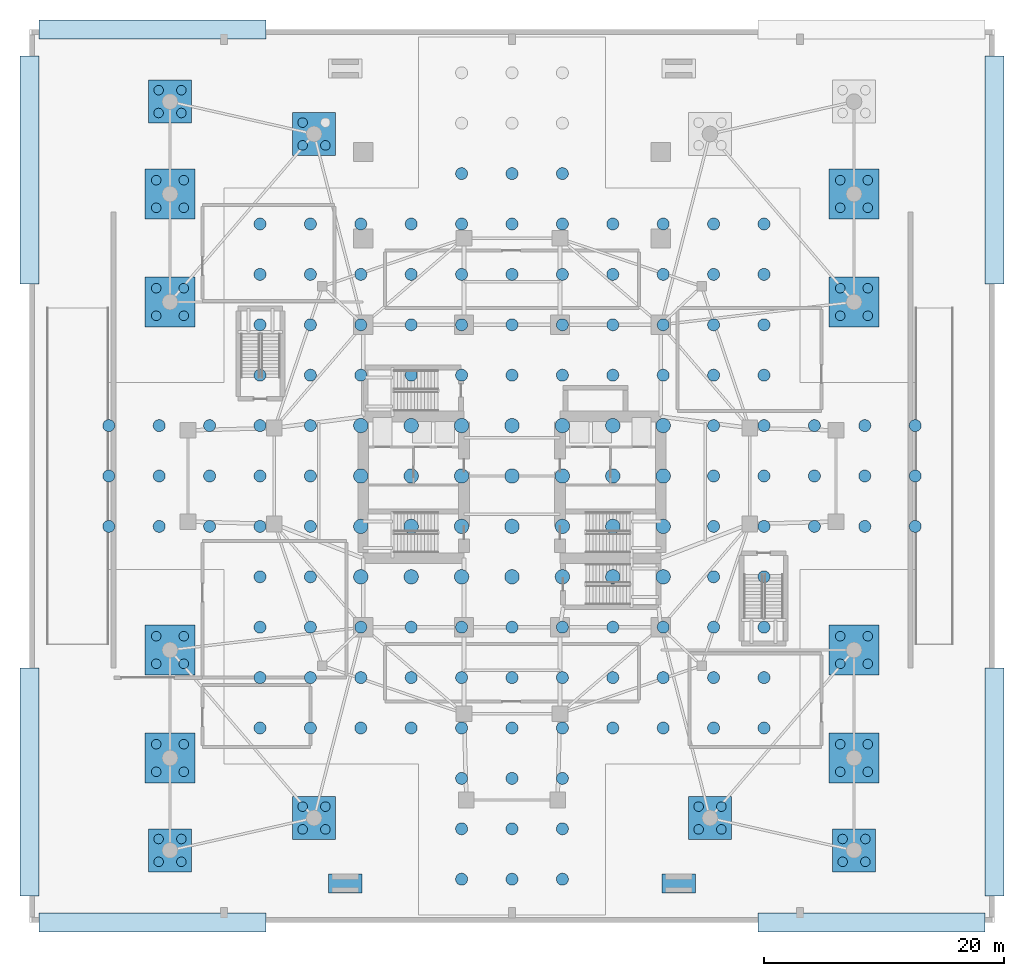
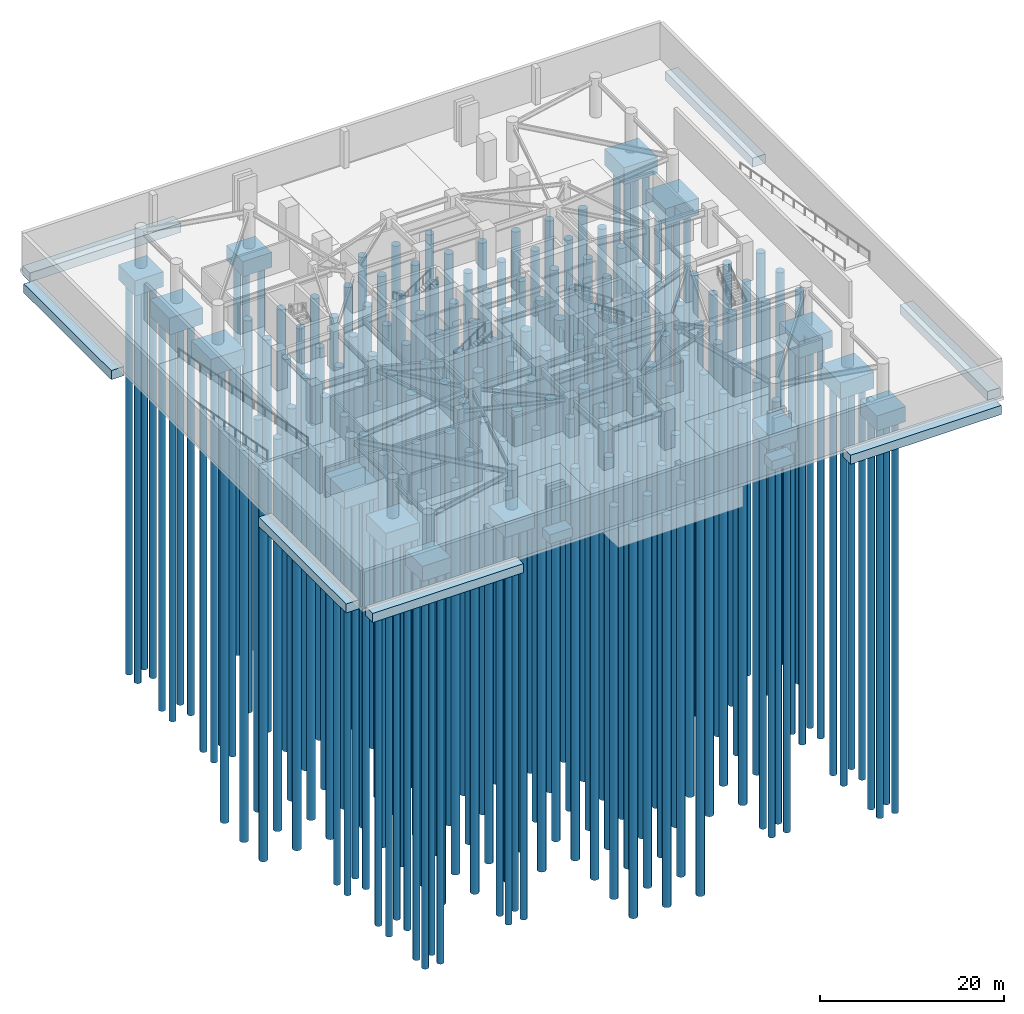
# One storey, part 1 of 14: 206 piles, 23 footings.
"""IFC4 building model written with IfcOpenShell, lengths in metres."""

from ifc_helpers import new_model, si_unit, direction, frame, origin, origin_2d, place, context, subcontext, project, spatial, rectangle, circle, extrude, material, material_profile, profile_set, type_object, element, save


model = new_model("IFC4")

# Units and contexts
model_context = context("Model", 3, precision=1e-05, world=origin(), true_north=direction((0.0, 1.0)))
body_context = subcontext(model_context, "Body", "Model", "MODEL_VIEW")
ifc_project = project(units=[si_unit("LENGTHUNIT", "METRE"), si_unit("AREAUNIT", "SQUARE_METRE"), si_unit("VOLUMEUNIT", "CUBIC_METRE"), si_unit("PLANEANGLEUNIT", "RADIAN"), si_unit("MASSUNIT", "GRAM", prefix="KILO")], contexts=[model_context])

# Site, building, storey
site_placement = place(None, origin())
site = spatial("IfcSite", under=ifc_project, at=site_placement, CompositionType="ELEMENT")
building_placement = place(site_placement, origin())
building = spatial("IfcBuilding", under=site, at=building_placement, Name="Qingluan Cross Belvedere", CompositionType="ELEMENT")
storey_placement = place(building_placement, frame((0.0, 0.0, -10.39990234375)))
storey = spatial("IfcBuildingStorey", under=building, at=storey_placement, Name="B2", CompositionType="ELEMENT", Elevation=-10.39990234375)

# Piles
ifc_material_1 = material(Name="Concrete C45", Category="concrete")
ifc_material_profile_1 = material_profile(ifc_material_1, circle(Radius=0.5, at=origin_2d()), Name="BP1000")
ifc_profile_set_1 = profile_set([ifc_material_profile_1], Name="Concrete C45")
pile_type_1 = type_object("IfcPileType", Name="BoredPile_BP1000", PredefinedType="BORED", material=ifc_profile_set_1)
for number, where, z_axis, x_axis, name in (
    (1, (-33.60009765625, -4.199951171875, -3.5), (0.0, 0.0, -1.0), (1.0, 0.0, 0.0), "Rock-socketed bored pile BP1000 #001"),
    (2, (-33.60009765625, 0.0, -3.5), (0.0, 0.0, -1.0), (1.0, 0.0, 0.0), "Rock-socketed bored pile BP1000 #002"),
    (3, (-33.60009765625, 4.199951171875, -3.5), (0.0, 0.0, -1.0), (1.0, 0.0, 0.0), "Rock-socketed bored pile BP1000 #003"),
    (4, (-29.39990234375, -4.199951171875, -3.5), (0.0, 0.0, -1.0), (1.0, 0.0, 0.0), "Rock-socketed bored pile BP1000 #004"),
    (5, (-29.39990234375, 0.0, -3.5), (0.0, 0.0, -1.0), (1.0, 0.0, 0.0), "Rock-socketed bored pile BP1000 #005"),
    (6, (-29.39990234375, 4.199951171875, -3.5), (0.0, 0.0, -1.0), (1.0, 0.0, 0.0), "Rock-socketed bored pile BP1000 #006"),
    (7, (-25.199951171875, -4.199951171875, -3.5), (0.0, 0.0, -1.0), (1.0, 0.0, 0.0), "Rock-socketed bored pile BP1000 #007"),
    (8, (-25.199951171875, 0.0, -3.5), (0.0, 0.0, -1.0), (1.0, 0.0, 0.0), "Rock-socketed bored pile BP1000 #008"),
    (9, (-25.199951171875, 4.199951171875, -3.5), (0.0, 0.0, -1.0), (1.0, 0.0, 0.0), "Rock-socketed bored pile BP1000 #009"),
    (10, (-21.0, -21.0, -3.5), (0.0, 0.0, -1.0), (1.0, 0.0, 0.0), "Rock-socketed bored pile BP1000 #010"),
    (11, (-21.0, -16.800048828125, -3.5), (0.0, 0.0, -1.0), (1.0, 0.0, 0.0), "Rock-socketed bored pile BP1000 #011"),
    (12, (-21.0, -12.60009765625, -3.5), (0.0, 0.0, -1.0), (1.0, 0.0, 0.0), "Rock-socketed bored pile BP1000 #012"),
    (13, (-21.0, -8.39990234375, -3.5), (0.0, 0.0, -1.0), (1.0, 0.0, 0.0), "Rock-socketed bored pile BP1000 #013"),
    (14, (-21.0, -4.199951171875, -3.5), (0.0, 0.0, -1.0), (1.0, 0.0, 0.0), "Rock-socketed bored pile BP1000 #014"),
    (15, (-21.0, 0.0, -3.5), (0.0, 0.0, -1.0), (1.0, 0.0, 0.0), "Rock-socketed bored pile BP1000 #015"),
    (16, (-21.0, 4.199951171875, -3.5), (0.0, 0.0, -1.0), (1.0, 0.0, 0.0), "Rock-socketed bored pile BP1000 #016"),
    (17, (-21.0, 8.39990234375, -3.5), (0.0, 0.0, -1.0), (1.0, 0.0, 0.0), "Rock-socketed bored pile BP1000 #017"),
    (18, (-21.0, 12.60009765625, -3.5), (0.0, 0.0, -1.0), (1.0, 0.0, 0.0), "Rock-socketed bored pile BP1000 #018"),
    (19, (-21.0, 16.800048828125, -3.5), (0.0, 0.0, -1.0), (1.0, 0.0, 0.0), "Rock-socketed bored pile BP1000 #019"),
    (20, (-21.0, 21.0, -3.5), (0.0, 0.0, -1.0), (1.0, 0.0, 0.0), "Rock-socketed bored pile BP1000 #020"),
    (21, (-16.800048828125, -21.0, -3.5), (0.0, 0.0, -1.0), (1.0, 0.0, 0.0), "Rock-socketed bored pile BP1000 #021"),
    (22, (-16.800048828125, -16.800048828125, -3.5), (0.0, 0.0, -1.0), (1.0, 0.0, 0.0), "Rock-socketed bored pile BP1000 #022"),
    (23, (-16.800048828125, -12.60009765625, -3.5), (0.0, 0.0, -1.0), (1.0, 0.0, 0.0), "Rock-socketed bored pile BP1000 #023"),
    (24, (-16.800048828125, -8.39990234375, -3.5), (0.0, 0.0, -1.0), (1.0, 0.0, 0.0), "Rock-socketed bored pile BP1000 #024"),
    (25, (-16.800048828125, -4.199951171875, -3.5), (0.0, 0.0, -1.0), (1.0, 0.0, 0.0), "Rock-socketed bored pile BP1000 #025"),
    (26, (-16.800048828125, 0.0, -3.5), (0.0, 0.0, -1.0), (1.0, 0.0, 0.0), "Rock-socketed bored pile BP1000 #026"),
    (27, (-16.800048828125, 4.199951171875, -3.5), (0.0, 0.0, -1.0), (1.0, 0.0, 0.0), "Rock-socketed bored pile BP1000 #027"),
    (28, (-16.800048828125, 8.39990234375, -3.5), (0.0, 0.0, -1.0), (1.0, 0.0, 0.0), "Rock-socketed bored pile BP1000 #028"),
    (29, (-16.800048828125, 12.60009765625, -3.5), (0.0, 0.0, -1.0), (1.0, 0.0, 0.0), "Rock-socketed bored pile BP1000 #029"),
    (30, (-16.800048828125, 16.800048828125, -3.5), (0.0, 0.0, -1.0), (1.0, 0.0, 0.0), "Rock-socketed bored pile BP1000 #030"),
    (31, (-16.800048828125, 21.0, -3.5), (0.0, 0.0, -1.0), (1.0, 0.0, 0.0), "Rock-socketed bored pile BP1000 #031"),
    (32, (-12.60009765625, -21.0, -3.5), (0.0, 0.0, -1.0), (1.0, 0.0, 0.0), "Rock-socketed bored pile BP1000 #032"),
    (33, (-12.60009765625, -16.800048828125, -3.5), (0.0, 0.0, -1.0), (1.0, 0.0, 0.0), "Rock-socketed bored pile BP1000 #033"),
    (34, (-12.60009765625, -12.60009765625, -3.5), (0.0, 0.0, -1.0), (1.0, 0.0, 0.0), "Rock-socketed bored pile BP1000 #034"),
    (35, (-12.60009765625, 8.39990234375, -3.5), (0.0, 0.0, -1.0), (1.0, 0.0, 0.0), "Rock-socketed bored pile BP1000 #039"),
    (36, (-12.60009765625, 12.60009765625, -3.5), (0.0, 0.0, -1.0), (1.0, 0.0, 0.0), "Rock-socketed bored pile BP1000 #040"),
    (37, (-12.60009765625, 16.800048828125, -3.5), (0.0, 0.0, -1.0), (1.0, 0.0, 0.0), "Rock-socketed bored pile BP1000 #041"),
    (38, (-12.60009765625, 21.0, -3.5), (0.0, 0.0, -1.0), (1.0, 0.0, 0.0), "Rock-socketed bored pile BP1000 #042"),
    (39, (-8.39990234375, -21.0, -3.5), (0.0, 0.0, -1.0), (1.0, 0.0, 0.0), "Rock-socketed bored pile BP1000 #043"),
    (40, (-8.39990234375, -16.800048828125, -3.5), (0.0, 0.0, -1.0), (1.0, 0.0, 0.0), "Rock-socketed bored pile BP1000 #044"),
    (41, (-8.39990234375, -12.60009765625, -3.5), (0.0, 0.0, -1.0), (1.0, 0.0, 0.0), "Rock-socketed bored pile BP1000 #045"),
    (42, (-8.39990234375, 8.39990234375, -3.5), (0.0, 0.0, -1.0), (1.0, 0.0, 0.0), "Rock-socketed bored pile BP1000 #050"),
    (43, (-8.39990234375, 12.60009765625, -3.5), (0.0, 0.0, -1.0), (1.0, 0.0, 0.0), "Rock-socketed bored pile BP1000 #051"),
    (44, (-8.39990234375, 16.800048828125, -3.5), (0.0, 0.0, -1.0), (1.0, 0.0, 0.0), "Rock-socketed bored pile BP1000 #052"),
    (45, (-8.39990234375, 21.0, -3.5), (0.0, 0.0, -1.0), (1.0, 0.0, 0.0), "Rock-socketed bored pile BP1000 #053"),
    (46, (-4.199951171875, -33.60009765625, -3.5), (0.0, 0.0, -1.0), (1.0, 0.0, 0.0), "Rock-socketed bored pile BP1000 #054"),
    (47, (-4.199951171875, -29.39990234375, -3.5), (0.0, 0.0, -1.0), (1.0, 0.0, 0.0), "Rock-socketed bored pile BP1000 #055"),
    (48, (-4.199951171875, -25.199951171875, -3.5), (0.0, 0.0, -1.0), (1.0, 0.0, 0.0), "Rock-socketed bored pile BP1000 #056"),
    (49, (-4.199951171875, -21.0, -3.5), (0.0, 0.0, -1.0), (1.0, 0.0, 0.0), "Rock-socketed bored pile BP1000 #057"),
    (50, (-4.199951171875, -16.800048828125, -3.5), (0.0, 0.0, -1.0), (1.0, 0.0, 0.0), "Rock-socketed bored pile BP1000 #058"),
    (51, (-4.199951171875, -12.60009765625, -3.5), (0.0, 0.0, -1.0), (1.0, 0.0, 0.0), "Rock-socketed bored pile BP1000 #059"),
    (52, (-4.199951171875, 8.39990234375, -3.5), (0.0, 0.0, -1.0), (1.0, 0.0, 0.0), "Rock-socketed bored pile BP1000 #064"),
    (53, (-4.199951171875, 12.60009765625, -3.5), (0.0, 0.0, -1.0), (1.0, 0.0, 0.0), "Rock-socketed bored pile BP1000 #065"),
    (54, (-4.199951171875, 16.800048828125, -3.5), (0.0, 0.0, -1.0), (1.0, 0.0, 0.0), "Rock-socketed bored pile BP1000 #066"),
    (55, (-4.199951171875, 21.0, -3.5), (0.0, 0.0, -1.0), (1.0, 0.0, 0.0), "Rock-socketed bored pile BP1000 #067"),
    (56, (-4.199951171875, 25.199951171875, -3.5), (0.0, 0.0, -1.0), (1.0, 0.0, 0.0), "Rock-socketed bored pile BP1000 #068"),
    (57, (0.0, -33.60009765625, -3.5), (0.0, 0.0, -1.0), (1.0, 0.0, 0.0), "Rock-socketed bored pile BP1000 #071"),
    (58, (0.0, -29.39990234375, -3.5), (0.0, 0.0, -1.0), (1.0, 0.0, 0.0), "Rock-socketed bored pile BP1000 #072"),
    (59, (0.0, -25.199951171875, -3.5), (0.0, 0.0, -1.0), (1.0, 0.0, 0.0), "Rock-socketed bored pile BP1000 #073"),
    (60, (0.0, -21.0, -3.5), (0.0, 0.0, -1.0), (1.0, 0.0, 0.0), "Rock-socketed bored pile BP1000 #074"),
    (61, (0.0, -16.800048828125, -3.5), (0.0, 0.0, -1.0), (1.0, 0.0, 0.0), "Rock-socketed bored pile BP1000 #075"),
    (62, (0.0, -12.60009765625, -3.5), (0.0, 0.0, -1.0), (1.0, 0.0, 0.0), "Rock-socketed bored pile BP1000 #076"),
    (63, (0.0, 8.39990234375, -3.5), (0.0, 0.0, -1.0), (1.0, 0.0, 0.0), "Rock-socketed bored pile BP1000 #081"),
    (64, (0.0, 12.60009765625, -3.5), (0.0, 0.0, -1.0), (1.0, 0.0, 0.0), "Rock-socketed bored pile BP1000 #082"),
    (65, (0.0, 16.800048828125, -3.5), (0.0, 0.0, -1.0), (1.0, 0.0, 0.0), "Rock-socketed bored pile BP1000 #083"),
    (66, (0.0, 21.0, -3.5), (0.0, 0.0, -1.0), (1.0, 0.0, 0.0), "Rock-socketed bored pile BP1000 #084"),
    (67, (0.0, 25.199951171875, -3.5), (0.0, 0.0, -1.0), (1.0, 0.0, 0.0), "Rock-socketed bored pile BP1000 #085"),
    (68, (4.199951171875, -33.60009765625, -3.5), (0.0, 0.0, -1.0), (1.0, 0.0, 0.0), "Rock-socketed bored pile BP1000 #088"),
    (69, (4.199951171875, -29.39990234375, -3.5), (0.0, 0.0, -1.0), (1.0, 0.0, 0.0), "Rock-socketed bored pile BP1000 #089"),
    (70, (4.199951171875, -25.199951171875, -3.5), (0.0, 0.0, -1.0), (1.0, 0.0, 0.0), "Rock-socketed bored pile BP1000 #090"),
    (71, (4.199951171875, -21.0, -3.5), (0.0, 0.0, -1.0), (1.0, 0.0, 0.0), "Rock-socketed bored pile BP1000 #091"),
    (72, (4.199951171875, -16.800048828125, -3.5), (0.0, 0.0, -1.0), (1.0, 0.0, 0.0), "Rock-socketed bored pile BP1000 #092"),
    (73, (4.199951171875, -12.60009765625, -3.5), (0.0, 0.0, -1.0), (1.0, 0.0, 0.0), "Rock-socketed bored pile BP1000 #093"),
    (74, (4.199951171875, 8.39990234375, -3.5), (0.0, 0.0, -1.0), (1.0, 0.0, 0.0), "Rock-socketed bored pile BP1000 #098"),
    (75, (4.199951171875, 12.60009765625, -3.5), (0.0, 0.0, -1.0), (1.0, 0.0, 0.0), "Rock-socketed bored pile BP1000 #099"),
    (76, (4.199951171875, 16.800048828125, -3.5), (0.0, 0.0, -1.0), (1.0, 0.0, 0.0), "Rock-socketed bored pile BP1000 #100"),
    (77, (4.199951171875, 21.0, -3.5), (0.0, 0.0, -1.0), (1.0, 0.0, 0.0), "Rock-socketed bored pile BP1000 #101"),
    (78, (4.199951171875, 25.199951171875, -3.5), (0.0, 0.0, -1.0), (1.0, 0.0, 0.0), "Rock-socketed bored pile BP1000 #102"),
    (79, (8.39990234375, -21.0, -3.5), (0.0, 0.0, -1.0), (1.0, 0.0, 0.0), "Rock-socketed bored pile BP1000 #105"),
    (80, (8.39990234375, -16.800048828125, -3.5), (0.0, 0.0, -1.0), (1.0, 0.0, 0.0), "Rock-socketed bored pile BP1000 #106"),
    (81, (8.39990234375, -12.60009765625, -3.5), (0.0, 0.0, -1.0), (1.0, 0.0, 0.0), "Rock-socketed bored pile BP1000 #107"),
    (82, (8.39990234375, 8.39990234375, -3.5), (0.0, 0.0, -1.0), (1.0, 0.0, 0.0), "Rock-socketed bored pile BP1000 #112"),
    (83, (8.39990234375, 12.60009765625, -3.5), (0.0, 0.0, -1.0), (1.0, 0.0, 0.0), "Rock-socketed bored pile BP1000 #113"),
    (84, (8.39990234375, 16.800048828125, -3.5), (0.0, 0.0, -1.0), (1.0, 0.0, 0.0), "Rock-socketed bored pile BP1000 #114"),
    (85, (8.39990234375, 21.0, -3.5), (0.0, 0.0, -1.0), (1.0, 0.0, 0.0), "Rock-socketed bored pile BP1000 #115"),
    (86, (12.60009765625, -21.0, -3.5), (0.0, 0.0, -1.0), (1.0, 0.0, 0.0), "Rock-socketed bored pile BP1000 #116"),
    (87, (12.60009765625, -16.800048828125, -3.5), (0.0, 0.0, -1.0), (1.0, 0.0, 0.0), "Rock-socketed bored pile BP1000 #117"),
    (88, (12.60009765625, -12.60009765625, -3.5), (0.0, 0.0, -1.0), (1.0, 0.0, 0.0), "Rock-socketed bored pile BP1000 #118"),
    (89, (12.60009765625, 8.39990234375, -3.5), (0.0, 0.0, -1.0), (1.0, 0.0, 0.0), "Rock-socketed bored pile BP1000 #123"),
    (90, (12.60009765625, 12.60009765625, -3.5), (0.0, 0.0, -1.0), (1.0, 0.0, 0.0), "Rock-socketed bored pile BP1000 #124"),
    (91, (12.60009765625, 16.800048828125, -3.5), (0.0, 0.0, -1.0), (1.0, 0.0, 0.0), "Rock-socketed bored pile BP1000 #125"),
    (92, (12.60009765625, 21.0, -3.5), (0.0, 0.0, -1.0), (1.0, 0.0, 0.0), "Rock-socketed bored pile BP1000 #126"),
    (93, (16.800048828125, -21.0, -3.5), (0.0, 0.0, -1.0), (1.0, 0.0, 0.0), "Rock-socketed bored pile BP1000 #127"),
    (94, (16.800048828125, -16.800048828125, -3.5), (0.0, 0.0, -1.0), (1.0, 0.0, 0.0), "Rock-socketed bored pile BP1000 #128"),
    (95, (16.800048828125, -12.60009765625, -3.5), (0.0, 0.0, -1.0), (1.0, 0.0, 0.0), "Rock-socketed bored pile BP1000 #129"),
    (96, (16.800048828125, -8.39990234375, -3.5), (0.0, 0.0, -1.0), (1.0, 0.0, 0.0), "Rock-socketed bored pile BP1000 #130"),
    (97, (16.800048828125, -4.199951171875, -3.5), (0.0, 0.0, -1.0), (1.0, 0.0, 0.0), "Rock-socketed bored pile BP1000 #131"),
    (98, (16.800048828125, 0.0, -3.5), (0.0, 0.0, -1.0), (1.0, 0.0, 0.0), "Rock-socketed bored pile BP1000 #132"),
    (99, (16.800048828125, 4.199951171875, -3.5), (0.0, 0.0, -1.0), (1.0, 0.0, 0.0), "Rock-socketed bored pile BP1000 #133"),
    (100, (16.800048828125, 8.39990234375, -3.5), (0.0, 0.0, -1.0), (1.0, 0.0, 0.0), "Rock-socketed bored pile BP1000 #134"),
    (101, (16.800048828125, 12.60009765625, -3.5), (0.0, 0.0, -1.0), (1.0, 0.0, 0.0), "Rock-socketed bored pile BP1000 #135"),
    (102, (16.800048828125, 16.800048828125, -3.5), (0.0, 0.0, -1.0), (1.0, 0.0, 0.0), "Rock-socketed bored pile BP1000 #136"),
    (103, (16.800048828125, 21.0, -3.5), (0.0, 0.0, -1.0), (1.0, 0.0, 0.0), "Rock-socketed bored pile BP1000 #137"),
    (104, (21.0, -21.0, -3.5), (0.0, 0.0, -1.0), (1.0, 0.0, 0.0), "Rock-socketed bored pile BP1000 #138"),
    (105, (21.0, -16.800048828125, -3.5), (0.0, 0.0, -1.0), (1.0, 0.0, 0.0), "Rock-socketed bored pile BP1000 #139"),
    (106, (21.0, -12.60009765625, -3.5), (0.0, 0.0, -1.0), (1.0, 0.0, 0.0), "Rock-socketed bored pile BP1000 #140"),
    (107, (21.0, -8.39990234375, -3.5), (0.0, 0.0, -1.0), (1.0, 0.0, 0.0), "Rock-socketed bored pile BP1000 #141"),
    (108, (21.0, -4.199951171875, -3.5), (0.0, 0.0, -1.0), (1.0, 0.0, 0.0), "Rock-socketed bored pile BP1000 #142"),
    (109, (21.0, 0.0, -3.5), (0.0, 0.0, -1.0), (1.0, 0.0, 0.0), "Rock-socketed bored pile BP1000 #143"),
    (110, (21.0, 4.199951171875, -3.5), (0.0, 0.0, -1.0), (1.0, 0.0, 0.0), "Rock-socketed bored pile BP1000 #144"),
    (111, (21.0, 8.39990234375, -3.5), (0.0, 0.0, -1.0), (1.0, 0.0, 0.0), "Rock-socketed bored pile BP1000 #145"),
    (112, (21.0, 12.60009765625, -3.5), (0.0, 0.0, -1.0), (1.0, 0.0, 0.0), "Rock-socketed bored pile BP1000 #146"),
    (113, (21.0, 16.800048828125, -3.5), (0.0, 0.0, -1.0), (1.0, 0.0, 0.0), "Rock-socketed bored pile BP1000 #147"),
    (114, (21.0, 21.0, -3.5), (0.0, 0.0, -1.0), (1.0, 0.0, 0.0), "Rock-socketed bored pile BP1000 #148"),
    (115, (25.199951171875, -4.199951171875, -3.5), (0.0, 0.0, -1.0), (1.0, 0.0, 0.0), "Rock-socketed bored pile BP1000 #149"),
    (116, (25.199951171875, 0.0, -3.5), (0.0, 0.0, -1.0), (1.0, 0.0, 0.0), "Rock-socketed bored pile BP1000 #150"),
    (117, (25.199951171875, 4.199951171875, -3.5), (0.0, 0.0, -1.0), (1.0, 0.0, 0.0), "Rock-socketed bored pile BP1000 #151"),
    (118, (29.39990234375, -4.199951171875, -3.5), (0.0, 0.0, -1.0), (1.0, 0.0, 0.0), "Rock-socketed bored pile BP1000 #152"),
    (119, (29.39990234375, 0.0, -3.5), (0.0, 0.0, -1.0), (1.0, 0.0, 0.0), "Rock-socketed bored pile BP1000 #153"),
    (120, (29.39990234375, 4.199951171875, -3.5), (0.0, 0.0, -1.0), (1.0, 0.0, 0.0), "Rock-socketed bored pile BP1000 #154"),
    (121, (33.60009765625, -4.199951171875, -3.5), (0.0, 0.0, -1.0), (1.0, 0.0, 0.0), "Rock-socketed bored pile BP1000 #155"),
    (122, (33.60009765625, 0.0, -3.5), (0.0, 0.0, -1.0), (1.0, 0.0, 0.0), "Rock-socketed bored pile BP1000 #156"),
    (123, (33.60009765625, 4.199951171875, -3.5), (0.0, 0.0, -1.0), (1.0, 0.0, 0.0), "Rock-socketed bored pile BP1000 #157"),
):
    element("IfcPile", number, at=place(storey_placement, frame(where, z_axis=z_axis, x_axis=x_axis)), inside=storey, type_object=pile_type_1, Name=name, PredefinedType="BORED", context=body_context, shape_type="SweptSolid", body=[
        extrude(circle(Radius=0.5, at=origin_2d()), origin(), (0.0, 0.0, 1.0), 52.0),
    ])
ifc_material_2 = material(Name="Concrete C45", Category="concrete")
ifc_material_profile_2 = material_profile(ifc_material_2, circle(Radius=0.60009765625, at=origin_2d()), Name="BP1200")
ifc_profile_set_2 = profile_set([ifc_material_profile_2], Name="Concrete C45")
pile_type_2 = type_object("IfcPileType", Name="BoredPile_BP1200", PredefinedType="BORED", material=ifc_profile_set_2)
for number, where, z_axis, x_axis, name in (
    (124, (-12.60009765625, -8.39990234375, -3.5), (0.0, 0.0, -1.0), (1.0, 0.0, 0.0), "Rock-socketed bored pile BP1200 #035"),
    (125, (-12.60009765625, -4.199951171875, -3.5), (0.0, 0.0, -1.0), (1.0, 0.0, 0.0), "Rock-socketed bored pile BP1200 #036"),
    (126, (-12.60009765625, 0.0, -3.5), (0.0, 0.0, -1.0), (1.0, 0.0, 0.0), "Rock-socketed bored pile BP1200 #037"),
    (127, (-12.60009765625, 4.199951171875, -3.5), (0.0, 0.0, -1.0), (1.0, 0.0, 0.0), "Rock-socketed bored pile BP1200 #038"),
    (128, (-8.39990234375, -8.39990234375, -3.5), (0.0, 0.0, -1.0), (1.0, 0.0, 0.0), "Rock-socketed bored pile BP1200 #046"),
    (129, (-8.39990234375, -4.199951171875, -3.5), (0.0, 0.0, -1.0), (1.0, 0.0, 0.0), "Rock-socketed bored pile BP1200 #047"),
    (130, (-8.39990234375, 0.0, -3.5), (0.0, 0.0, -1.0), (1.0, 0.0, 0.0), "Rock-socketed bored pile BP1200 #048"),
    (131, (-8.39990234375, 4.199951171875, -3.5), (0.0, 0.0, -1.0), (1.0, 0.0, 0.0), "Rock-socketed bored pile BP1200 #049"),
    (132, (-4.199951171875, -8.39990234375, -3.5), (0.0, 0.0, -1.0), (1.0, 0.0, 0.0), "Rock-socketed bored pile BP1200 #060"),
    (133, (-4.199951171875, -4.199951171875, -3.5), (0.0, 0.0, -1.0), (1.0, 0.0, 0.0), "Rock-socketed bored pile BP1200 #061"),
    (134, (-4.199951171875, 0.0, -3.5), (0.0, 0.0, -1.0), (1.0, 0.0, 0.0), "Rock-socketed bored pile BP1200 #062"),
    (135, (-4.199951171875, 4.199951171875, -3.5), (0.0, 0.0, -1.0), (1.0, 0.0, 0.0), "Rock-socketed bored pile BP1200 #063"),
    (136, (0.0, -8.39990234375, -3.5), (0.0, 0.0, -1.0), (1.0, 0.0, 0.0), "Rock-socketed bored pile BP1200 #077"),
    (137, (0.0, -4.199951171875, -3.5), (0.0, 0.0, -1.0), (1.0, 0.0, 0.0), "Rock-socketed bored pile BP1200 #078"),
    (138, (0.0, 0.0, -3.5), (0.0, 0.0, -1.0), (1.0, 0.0, 0.0), "Rock-socketed bored pile BP1200 #079"),
    (139, (0.0, 4.199951171875, -3.5), (0.0, 0.0, -1.0), (1.0, 0.0, 0.0), "Rock-socketed bored pile BP1200 #080"),
    (140, (4.199951171875, -8.39990234375, -3.5), (0.0, 0.0, -1.0), (1.0, 0.0, 0.0), "Rock-socketed bored pile BP1200 #094"),
    (141, (4.199951171875, -4.199951171875, -3.5), (0.0, 0.0, -1.0), (1.0, 0.0, 0.0), "Rock-socketed bored pile BP1200 #095"),
    (142, (4.199951171875, 0.0, -3.5), (0.0, 0.0, -1.0), (1.0, 0.0, 0.0), "Rock-socketed bored pile BP1200 #096"),
    (143, (4.199951171875, 4.199951171875, -3.5), (0.0, 0.0, -1.0), (1.0, 0.0, 0.0), "Rock-socketed bored pile BP1200 #097"),
    (144, (8.39990234375, -8.39990234375, -3.5), (0.0, 0.0, -1.0), (1.0, 0.0, 0.0), "Rock-socketed bored pile BP1200 #108"),
    (145, (8.39990234375, -4.199951171875, -3.5), (0.0, 0.0, -1.0), (1.0, 0.0, 0.0), "Rock-socketed bored pile BP1200 #109"),
    (146, (8.39990234375, 0.0, -3.5), (0.0, 0.0, -1.0), (1.0, 0.0, 0.0), "Rock-socketed bored pile BP1200 #110"),
    (147, (8.39990234375, 4.199951171875, -3.5), (0.0, 0.0, -1.0), (1.0, 0.0, 0.0), "Rock-socketed bored pile BP1200 #111"),
    (148, (12.60009765625, -8.39990234375, -3.5), (0.0, 0.0, -1.0), (1.0, 0.0, 0.0), "Rock-socketed bored pile BP1200 #119"),
    (149, (12.60009765625, -4.199951171875, -3.5), (0.0, 0.0, -1.0), (1.0, 0.0, 0.0), "Rock-socketed bored pile BP1200 #120"),
    (150, (12.60009765625, 0.0, -3.5), (0.0, 0.0, -1.0), (1.0, 0.0, 0.0), "Rock-socketed bored pile BP1200 #121"),
    (151, (12.60009765625, 4.199951171875, -3.5), (0.0, 0.0, -1.0), (1.0, 0.0, 0.0), "Rock-socketed bored pile BP1200 #122"),
):
    element("IfcPile", number, at=place(storey_placement, frame(where, z_axis=z_axis, x_axis=x_axis)), inside=storey, type_object=pile_type_2, Name=name, PredefinedType="BORED", context=body_context, shape_type="SweptSolid", body=[
        extrude(circle(Radius=0.60009765625, at=origin_2d()), origin(), (0.0, 0.0, 1.0), 52.0),
    ])
ifc_material_3 = material(Name="Concrete C45", Category="concrete")
ifc_material_profile_3 = material_profile(ifc_material_3, circle(Radius=0.39990234375, at=origin_2d()), Name="BP800")
ifc_profile_set_3 = profile_set([ifc_material_profile_3], Name="Concrete C45")
pile_type_3 = type_object("IfcPileType", Name="BoredPile_BP800", PredefinedType="BORED", material=ifc_profile_set_3)
for number, where, z_axis, x_axis, name in (
    (152, (-29.64990234375, -15.64990234375, -2.5), (0.0, 0.0, -1.0), (1.0, 0.0, 0.0), "Podium cap bored pile WS1-1"),
    (153, (-27.35009765625, -15.64990234375, -2.5), (0.0, 0.0, -1.0), (1.0, 0.0, 0.0), "Podium cap bored pile WS1-2"),
    (154, (-27.35009765625, -13.35009765625, -2.5), (0.0, 0.0, -1.0), (1.0, 0.0, 0.0), "Podium cap bored pile WS1-3"),
    (155, (-29.64990234375, -13.35009765625, -2.5), (0.0, 0.0, -1.0), (1.0, 0.0, 0.0), "Podium cap bored pile WS1-4"),
    (156, (-29.64990234375, -24.64990234375, -2.5), (0.0, 0.0, -1.0), (1.0, 0.0, 0.0), "Podium cap bored pile WS2-1"),
    (157, (-27.35009765625, -24.64990234375, -2.5), (0.0, 0.0, -1.0), (1.0, 0.0, 0.0), "Podium cap bored pile WS2-2"),
    (158, (-27.35009765625, -22.35009765625, -2.5), (0.0, 0.0, -1.0), (1.0, 0.0, 0.0), "Podium cap bored pile WS2-3"),
    (159, (-29.64990234375, -22.35009765625, -2.5), (0.0, 0.0, -1.0), (1.0, 0.0, 0.0), "Podium cap bored pile WS2-4"),
    (160, (-17.449951171875, -29.449951171875, -2.300048828125), (0.0, 0.0, -1.0), (1.0, 0.0, 0.0), "Podium cap bored pile WS3-1"),
    (161, (-15.550048828125, -29.449951171875, -2.300048828125), (0.0, 0.0, -1.0), (1.0, 0.0, 0.0), "Podium cap bored pile WS3-2"),
    (162, (-15.550048828125, -27.550048828125, -2.300048828125), (0.0, 0.0, -1.0), (1.0, 0.0, 0.0), "Podium cap bored pile WS3-3"),
    (163, (-17.449951171875, -27.550048828125, -2.300048828125), (0.0, 0.0, -1.0), (1.0, 0.0, 0.0), "Podium cap bored pile WS3-4"),
    (164, (-29.449951171875, -32.14990234375, -2.300048828125), (0.0, 0.0, -1.0), (1.0, 0.0, 0.0), "Podium cap bored pile WS4-1"),
    (165, (-27.550048828125, -32.14990234375, -2.300048828125), (0.0, 0.0, -1.0), (1.0, 0.0, 0.0), "Podium cap bored pile WS4-2"),
    (166, (-27.550048828125, -30.25, -2.300048828125), (0.0, 0.0, -1.0), (1.0, 0.0, 0.0), "Podium cap bored pile WS4-3"),
    (167, (-29.449951171875, -30.25, -2.300048828125), (0.0, 0.0, -1.0), (1.0, 0.0, 0.0), "Podium cap bored pile WS4-4"),
    (168, (-29.64990234375, 13.35009765625, -2.5), (0.0, 0.0, -1.0), (1.0, 0.0, 0.0), "Podium cap bored pile WN1-1"),
    (169, (-27.35009765625, 13.35009765625, -2.5), (0.0, 0.0, -1.0), (1.0, 0.0, 0.0), "Podium cap bored pile WN1-2"),
    (170, (-27.35009765625, 15.64990234375, -2.5), (0.0, 0.0, -1.0), (1.0, 0.0, 0.0), "Podium cap bored pile WN1-3"),
    (171, (-29.64990234375, 15.64990234375, -2.5), (0.0, 0.0, -1.0), (1.0, 0.0, 0.0), "Podium cap bored pile WN1-4"),
    (172, (-29.64990234375, 22.35009765625, -2.5), (0.0, 0.0, -1.0), (1.0, 0.0, 0.0), "Podium cap bored pile WN2-1"),
    (173, (-27.35009765625, 22.35009765625, -2.5), (0.0, 0.0, -1.0), (1.0, 0.0, 0.0), "Podium cap bored pile WN2-2"),
    (174, (-27.35009765625, 24.64990234375, -2.5), (0.0, 0.0, -1.0), (1.0, 0.0, 0.0), "Podium cap bored pile WN2-3"),
    (175, (-29.64990234375, 24.64990234375, -2.5), (0.0, 0.0, -1.0), (1.0, 0.0, 0.0), "Podium cap bored pile WN2-4"),
    (176, (-17.449951171875, 27.550048828125, -2.300048828125), (0.0, 0.0, -1.0), (1.0, 0.0, 0.0), "Podium cap bored pile WN3-1"),
    (177, (-15.550048828125, 27.550048828125, -2.300048828125), (0.0, 0.0, -1.0), (1.0, 0.0, 0.0), "Podium cap bored pile WN3-2"),
    (178, (-17.449951171875, 29.449951171875, -2.300048828125), (0.0, 0.0, -1.0), (1.0, 0.0, 0.0), "Podium cap bored pile WN3-4"),
    (179, (-29.449951171875, 30.25, -2.300048828125), (0.0, 0.0, -1.0), (1.0, 0.0, 0.0), "Podium cap bored pile WN4-1"),
    (180, (-27.550048828125, 30.25, -2.300048828125), (0.0, 0.0, -1.0), (1.0, 0.0, 0.0), "Podium cap bored pile WN4-2"),
    (181, (-27.550048828125, 32.14990234375, -2.300048828125), (0.0, 0.0, -1.0), (1.0, 0.0, 0.0), "Podium cap bored pile WN4-3"),
    (182, (-29.449951171875, 32.14990234375, -2.300048828125), (0.0, 0.0, -1.0), (1.0, 0.0, 0.0), "Podium cap bored pile WN4-4"),
    (183, (27.35009765625, -15.64990234375, -2.5), (0.0, 0.0, -1.0), (1.0, 0.0, 0.0), "Podium cap bored pile ES1-1"),
    (184, (29.64990234375, -15.64990234375, -2.5), (0.0, 0.0, -1.0), (1.0, 0.0, 0.0), "Podium cap bored pile ES1-2"),
    (185, (29.64990234375, -13.35009765625, -2.5), (0.0, 0.0, -1.0), (1.0, 0.0, 0.0), "Podium cap bored pile ES1-3"),
    (186, (27.35009765625, -13.35009765625, -2.5), (0.0, 0.0, -1.0), (1.0, 0.0, 0.0), "Podium cap bored pile ES1-4"),
    (187, (27.35009765625, -24.64990234375, -2.5), (0.0, 0.0, -1.0), (1.0, 0.0, 0.0), "Podium cap bored pile ES2-1"),
    (188, (29.64990234375, -24.64990234375, -2.5), (0.0, 0.0, -1.0), (1.0, 0.0, 0.0), "Podium cap bored pile ES2-2"),
    (189, (29.64990234375, -22.35009765625, -2.5), (0.0, 0.0, -1.0), (1.0, 0.0, 0.0), "Podium cap bored pile ES2-3"),
    (190, (27.35009765625, -22.35009765625, -2.5), (0.0, 0.0, -1.0), (1.0, 0.0, 0.0), "Podium cap bored pile ES2-4"),
    (191, (15.550048828125, -29.449951171875, -2.300048828125), (0.0, 0.0, -1.0), (1.0, 0.0, 0.0), "Podium cap bored pile ES3-1"),
    (192, (17.449951171875, -29.449951171875, -2.300048828125), (0.0, 0.0, -1.0), (1.0, 0.0, 0.0), "Podium cap bored pile ES3-2"),
    (193, (17.449951171875, -27.550048828125, -2.300048828125), (0.0, 0.0, -1.0), (1.0, 0.0, 0.0), "Podium cap bored pile ES3-3"),
    (194, (15.550048828125, -27.550048828125, -2.300048828125), (0.0, 0.0, -1.0), (1.0, 0.0, 0.0), "Podium cap bored pile ES3-4"),
    (195, (27.550048828125, -32.14990234375, -2.300048828125), (0.0, 0.0, -1.0), (1.0, 0.0, 0.0), "Podium cap bored pile ES4-1"),
    (196, (29.449951171875, -32.14990234375, -2.300048828125), (0.0, 0.0, -1.0), (1.0, 0.0, 0.0), "Podium cap bored pile ES4-2"),
    (197, (29.449951171875, -30.25, -2.300048828125), (0.0, 0.0, -1.0), (1.0, 0.0, 0.0), "Podium cap bored pile ES4-3"),
    (198, (27.550048828125, -30.25, -2.300048828125), (0.0, 0.0, -1.0), (1.0, 0.0, 0.0), "Podium cap bored pile ES4-4"),
    (199, (27.35009765625, 13.35009765625, -2.5), (0.0, 0.0, -1.0), (1.0, 0.0, 0.0), "Podium cap bored pile EN1-1"),
    (200, (29.64990234375, 13.35009765625, -2.5), (0.0, 0.0, -1.0), (1.0, 0.0, 0.0), "Podium cap bored pile EN1-2"),
    (201, (29.64990234375, 15.64990234375, -2.5), (0.0, 0.0, -1.0), (1.0, 0.0, 0.0), "Podium cap bored pile EN1-3"),
    (202, (27.35009765625, 15.64990234375, -2.5), (0.0, 0.0, -1.0), (1.0, 0.0, 0.0), "Podium cap bored pile EN1-4"),
    (203, (27.35009765625, 22.35009765625, -2.5), (0.0, 0.0, -1.0), (1.0, 0.0, 0.0), "Podium cap bored pile EN2-1"),
    (204, (29.64990234375, 22.35009765625, -2.5), (0.0, 0.0, -1.0), (1.0, 0.0, 0.0), "Podium cap bored pile EN2-2"),
    (205, (29.64990234375, 24.64990234375, -2.5), (0.0, 0.0, -1.0), (1.0, 0.0, 0.0), "Podium cap bored pile EN2-3"),
    (206, (27.35009765625, 24.64990234375, -2.5), (0.0, 0.0, -1.0), (1.0, 0.0, 0.0), "Podium cap bored pile EN2-4"),
):
    element("IfcPile", number, at=place(storey_placement, frame(where, z_axis=z_axis, x_axis=x_axis)), inside=storey, type_object=pile_type_3, Name=name, PredefinedType="BORED", context=body_context, shape_type="SweptSolid", body=[
        extrude(circle(Radius=0.39990234375, at=origin_2d()), origin(), (0.0, 0.0, 1.0), 52.0),
    ])

# Footings
ifc_material_4 = material(Name="Concrete C40", Category="concrete")
footing_type_1 = type_object("IfcFootingType", Name="PileCap_3600x3600x2000", PredefinedType="PILE_CAP", material=ifc_material_4)
for number, where, z_axis, x_axis, name in (
    (207, (-16.5, -28.5, -2.400146484375), (0.0, 0.0, 1.0), (1.0, 0.0, 0.0), "Podium pile cap WS3"),
    (208, (-28.5, -31.199951171875, -2.400146484375), (0.0, 0.0, 1.0), (1.0, 0.0, 0.0), "Podium pile cap WS4"),
    (209, (-16.5, 28.5, -2.400146484375), (0.0, 0.0, 1.0), (1.0, 0.0, 0.0), "Podium pile cap WN3"),
    (210, (-28.5, 31.199951171875, -2.400146484375), (0.0, 0.0, 1.0), (1.0, 0.0, 0.0), "Podium pile cap WN4"),
    (211, (16.5, -28.5, -2.400146484375), (0.0, 0.0, 1.0), (1.0, 0.0, 0.0), "Podium pile cap ES3"),
    (212, (28.5, -31.199951171875, -2.400146484375), (0.0, 0.0, 1.0), (1.0, 0.0, 0.0), "Podium pile cap ES4"),
):
    element("IfcFooting", number, at=place(storey_placement, frame(where, z_axis=z_axis, x_axis=x_axis)), inside=storey, type_object=footing_type_1, Name=name, PredefinedType="PILE_CAP", context=body_context, shape_type="SweptSolid", body=[
        extrude(rectangle(XDim=3.60009765625, YDim=3.60009765625, at=origin_2d()), origin(), (0.0, 0.0, 1.0), 2.0),
    ])
ifc_material_5 = material(Name="Concrete C40", Category="concrete")
footing_type_2 = type_object("IfcFootingType", Name="PileCap_4200x4200x2200", PredefinedType="PILE_CAP", material=ifc_material_5)
for number, where, z_axis, x_axis, name in (
    (213, (-28.5, -14.5, -2.60009765625), (0.0, 0.0, 1.0), (1.0, 0.0, 0.0), "Podium pile cap WS1"),
    (214, (-28.5, -23.5, -2.60009765625), (0.0, 0.0, 1.0), (1.0, 0.0, 0.0), "Podium pile cap WS2"),
    (215, (-28.5, 14.5, -2.60009765625), (0.0, 0.0, 1.0), (1.0, 0.0, 0.0), "Podium pile cap WN1"),
    (216, (-28.5, 23.5, -2.60009765625), (0.0, 0.0, 1.0), (1.0, 0.0, 0.0), "Podium pile cap WN2"),
    (217, (28.5, -14.5, -2.60009765625), (0.0, 0.0, 1.0), (1.0, 0.0, 0.0), "Podium pile cap ES1"),
    (218, (28.5, -23.5, -2.60009765625), (0.0, 0.0, 1.0), (1.0, 0.0, 0.0), "Podium pile cap ES2"),
    (219, (28.5, 14.5, -2.60009765625), (0.0, 0.0, 1.0), (1.0, 0.0, 0.0), "Podium pile cap EN1"),
    (220, (28.5, 23.5, -2.60009765625), (0.0, 0.0, 1.0), (1.0, 0.0, 0.0), "Podium pile cap EN2"),
):
    element("IfcFooting", number, at=place(storey_placement, frame(where, z_axis=z_axis, x_axis=x_axis)), inside=storey, type_object=footing_type_2, Name=name, PredefinedType="PILE_CAP", context=body_context, shape_type="SweptSolid", body=[
        extrude(rectangle(XDim=4.199951171875, YDim=4.199951171875, at=origin_2d()), origin(), (0.0, 0.0, 1.0), 2.199951171875),
    ])
ifc_material_6 = material(Name="Concrete C40", Category="concrete")
footing_type_3 = type_object("IfcFootingType", Name="StripFooting_1600x1200", PredefinedType="STRIP_FOOTING", material=ifc_material_6)
for number, where, z_axis, x_axis, name in (
    (221, (-29.949951171875, 37.199951171875, -1.60009765625), (0.0, 0.0, 1.0), (1.0, 0.0, 0.0), "Perimeter retaining strip footing SF-N1"),
    (222, (-29.949951171875, -37.199951171875, -1.60009765625), (0.0, 0.0, 1.0), (1.0, 0.0, 0.0), "Perimeter retaining strip footing SF-S1"),
    (223, (29.949951171875, -37.199951171875, -1.60009765625), (0.0, 0.0, 1.0), (1.0, 0.0, 0.0), "Perimeter retaining strip footing SF-S2"),
):
    element("IfcFooting", number, at=place(storey_placement, frame(where, z_axis=z_axis, x_axis=x_axis)), inside=storey, type_object=footing_type_3, Name=name, PredefinedType="STRIP_FOOTING", context=body_context, shape_type="SweptSolid", body=[
        extrude(rectangle(XDim=18.89990234375, YDim=1.60009765625, at=origin_2d()), origin(), (0.0, 0.0, 1.0), 1.199951171875),
    ])
for number, where, z_axis, x_axis, name in (
    (224, (40.199951171875, -25.5, -1.60009765625), (0.0, 0.0, 1.0), (0.0, 1.0, 0.0), "Perimeter retaining strip footing SF-E1"),
    (225, (40.199951171875, 25.5, -1.60009765625), (0.0, 0.0, 1.0), (0.0, 1.0, 0.0), "Perimeter retaining strip footing SF-E2"),
    (226, (-40.199951171875, -25.5, -1.60009765625), (0.0, 0.0, 1.0), (0.0, 1.0, 0.0), "Perimeter retaining strip footing SF-W1"),
    (227, (-40.199951171875, 25.5, -1.60009765625), (0.0, 0.0, 1.0), (0.0, 1.0, 0.0), "Perimeter retaining strip footing SF-W2"),
):
    element("IfcFooting", number, at=place(storey_placement, frame(where, z_axis=z_axis, x_axis=x_axis)), inside=storey, type_object=footing_type_3, Name=name, PredefinedType="STRIP_FOOTING", context=body_context, shape_type="SweptSolid", body=[
        extrude(rectangle(XDim=19.0, YDim=1.60009765625, at=origin_2d()), origin(), (0.0, 0.0, 1.0), 1.199951171875),
    ])
for number, where, z_axis, x_axis, name in (
    (228, (-13.89990234375, -33.949951171875, -1.60009765625), (0.0, 0.0, 1.0), (1.0, 0.0, 0.0), "Entrance ramp foundation strip 1"),
    (229, (13.89990234375, -33.949951171875, -1.60009765625), (0.0, 0.0, 1.0), (1.0, 0.0, 0.0), "Entrance ramp foundation strip 2"),
):
    element("IfcFooting", number, at=place(storey_placement, frame(where, z_axis=z_axis, x_axis=x_axis)), inside=storey, type_object=footing_type_3, Name=name, PredefinedType="STRIP_FOOTING", context=body_context, shape_type="SweptSolid", body=[
        extrude(rectangle(XDim=2.800048828125, YDim=1.60009765625, at=origin_2d()), origin(), (0.0, 0.0, 1.0), 1.199951171875),
    ])

save(model, "model.ifc")
